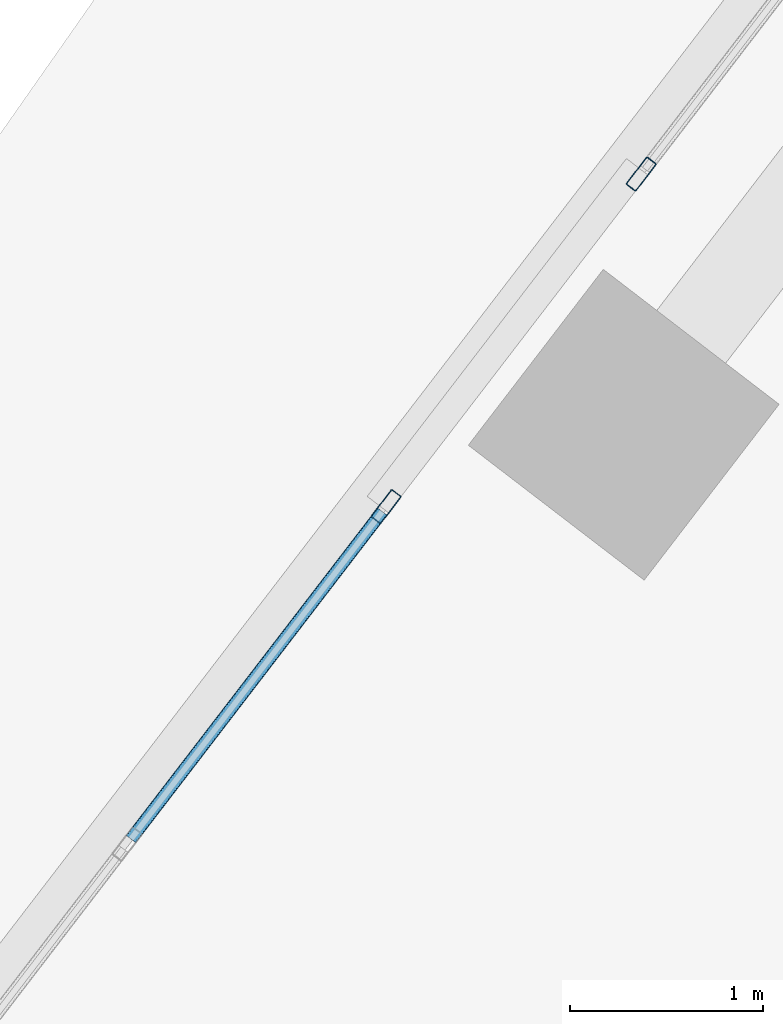
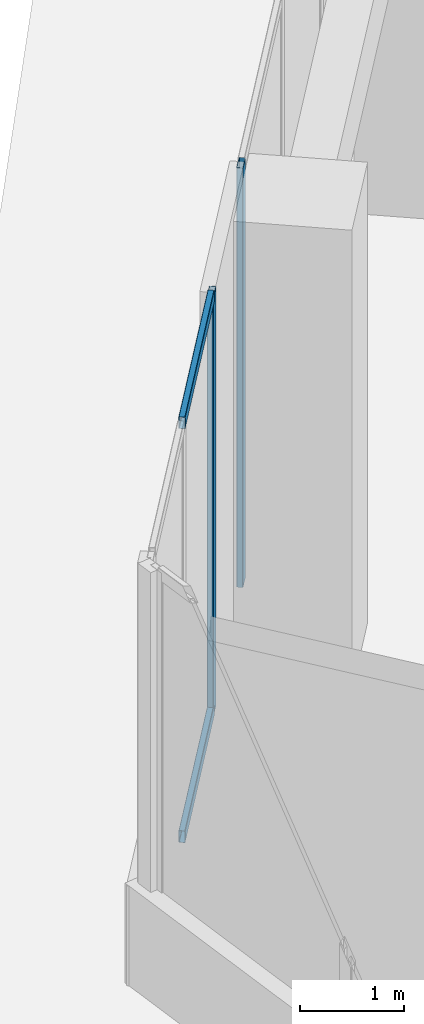
# One storey, part 5 of 23: 4 members, 2 elements without a shape of their own.
"""IFC4 building model written with IfcOpenShell, lengths in metres."""

from ifc_helpers import new_model, si_unit, direction, frame, origin, origin_2d, place, context, subcontext, project, spatial, hollow_rectangle, extrude, source, transform, mapped, material, material_profile, profile_set, type_object, element, aggregate, save


model = new_model("IFC4")

# Units and contexts
model_context = context("Model", 3, precision=1e-05, world=origin(), true_north=direction((0.0, 1.0)))
body_context = subcontext(model_context, "Body", "Model", "MODEL_VIEW")
ifc_project = project(units=[si_unit("LENGTHUNIT", "METRE"), si_unit("AREAUNIT", "SQUARE_METRE"), si_unit("VOLUMEUNIT", "CUBIC_METRE"), si_unit("PLANEANGLEUNIT", "RADIAN"), si_unit("MASSUNIT", "GRAM", prefix="KILO")], contexts=[model_context])

# Site, building, storey
site_placement = place(None, origin())
site = spatial("IfcSite", under=ifc_project, at=site_placement, CompositionType="ELEMENT")
building_placement = place(site_placement, origin())
building = spatial("IfcBuilding", under=site, at=building_placement, Name="Torre Montelarca", CompositionType="ELEMENT")
storey_placement = place(building_placement, frame((0.0, 0.0, 204.39990234375)))
storey = spatial("IfcBuildingStorey", under=building, at=storey_placement, Name="L46", CompositionType="ELEMENT", Elevation=204.39990234375)

# Curtain wall, member
ifc_material_1 = material(Name="Insulated low-E laminated glass", Category="glass")
curtain_wall_type = type_object("IfcCurtainWallType", Name="CW-SYS-Z2", PredefinedType="USERDEFINED", material=ifc_material_1)
curtain_wall_1_placement = place(storey_placement, origin())
curtain_wall_1 = element("IfcCurtainWall", 1, at=curtain_wall_1_placement, inside=storey, type_object=curtain_wall_type, Name="L46 Curtain Wall Run CW-T3-L46-E10-B2", ObjectType="UNITISED GLAZING", PredefinedType="USERDEFINED")
ifc_material_2 = material(Name="Anodised aluminium AA 6063-T6", Category="aluminium")
ifc_material_profile_1 = material_profile(ifc_material_2, hollow_rectangle(XDim=0.06494140625, YDim=0.179931640625, WallThickness=0.00390625, InnerFilletRadius=0.00390625, OuterFilletRadius=0.008056640625, at=origin_2d()), Name="ALU65X180X4", Category="aluminium")
ifc_profile_set_1 = profile_set([ifc_material_profile_1], Name="Anodised aluminium AA 6063-T6")
member_type_1 = type_object("IfcMemberType", Name="CWM-ALU180", PredefinedType="MULLION", material=ifc_profile_set_1)
shared_shape_1 = source(origin(), body_context, "Body", "SweptSolid", [
    extrude(hollow_rectangle(XDim=0.06494140625, YDim=0.179931640625, WallThickness=0.00390625, InnerFilletRadius=0.00390625, OuterFilletRadius=0.008056640625, at=origin_2d()), origin(), (0.0, 0.0, 1.0), 4.920166015625),
])
member_1_placement = place(storey_placement, frame((3.352783203125, 37.2119140625, 0.0), z_axis=(0.0, 0.0, 1.0), x_axis=(0.793345831546, -0.608771214471, 0.0)))
member_1 = element("IfcMember", 2, at=member_1_placement, type_object=member_type_1, Name="CW mullion 3", PredefinedType="MULLION", context=body_context, shape_type="MappedRepresentation", body=[
    mapped(shared_shape_1, transform((0.0, 0.0, 0.0), scale=1.0)),
])
aggregate(curtain_wall_1, [member_1])

# Curtain wall, members
curtain_wall_2_placement = place(storey_placement, origin())
curtain_wall_2 = element("IfcCurtainWall", 3, at=curtain_wall_2_placement, inside=storey, type_object=curtain_wall_type, Name="L46 Curtain Wall Run CW-T3-L46-E10-B3", ObjectType="UNITISED GLAZING", PredefinedType="USERDEFINED")
member_2_placement = place(storey_placement, frame((2.02880859375, 35.486328125, 0.0), z_axis=(0.0, 0.0, 1.0), x_axis=(0.793350448962, -0.608765197043, 0.0)))
member_2 = element("IfcMember", 4, at=member_2_placement, type_object=member_type_1, Name="CW mullion 1", PredefinedType="MULLION", context=body_context, shape_type="MappedRepresentation", body=[
    mapped(shared_shape_1, transform((0.0, 0.0, 0.0), scale=1.0)),
])
ifc_material_profile_2 = material_profile(ifc_material_2, hollow_rectangle(XDim=0.06494140625, YDim=0.139892578125, WallThickness=0.00390625, InnerFilletRadius=0.00390625, OuterFilletRadius=0.008056640625, at=origin_2d()), Name="ALU65X140X4", Category="aluminium")
ifc_profile_set_2 = profile_set([ifc_material_profile_2], Name="Anodised aluminium AA 6063-T6")
member_type_2 = type_object("IfcMemberType", Name="CWT-ALU140", PredefinedType="USERDEFINED", material=ifc_profile_set_2)
shared_shape_2 = source(origin(), body_context, "Body", "SweptSolid", [
    extrude(hollow_rectangle(XDim=0.06494140625, YDim=0.139892578125, WallThickness=0.00390625, InnerFilletRadius=0.00390625, OuterFilletRadius=0.008056640625, at=origin_2d()), origin(), (0.0, 0.0, 1.0), 2.142333984375),
])
member_3_placement = place(storey_placement, frame((2.009033203125, 35.46044921875, 0.03271484375), z_axis=(-0.608807109169, -0.793318286582, 0.0), x_axis=(0.793318286582, -0.608807109169, 0.0)))
member_3 = element("IfcMember", 5, at=member_3_placement, type_object=member_type_2, Name="CW transom 1.1", ObjectType="TRANSOM", PredefinedType="USERDEFINED", context=body_context, shape_type="MappedRepresentation", body=[
    mapped(shared_shape_2, transform((0.0, 0.0, 0.0), scale=1.0)),
])
member_4_placement = place(storey_placement, frame((2.009033203125, 35.46044921875, 4.8876953125), z_axis=(-0.608807109169, -0.793318286582, 0.0), x_axis=(0.793318286582, -0.608807109169, 0.0)))
member_4 = element("IfcMember", 6, at=member_4_placement, type_object=member_type_2, Name="CW transom 1.2", ObjectType="TRANSOM", PredefinedType="USERDEFINED", context=body_context, shape_type="MappedRepresentation", body=[
    mapped(shared_shape_2, transform((0.0, 0.0, 0.0), scale=1.0)),
])
aggregate(curtain_wall_2, [member_2, member_3, member_4])

save(model, "model.ifc")
